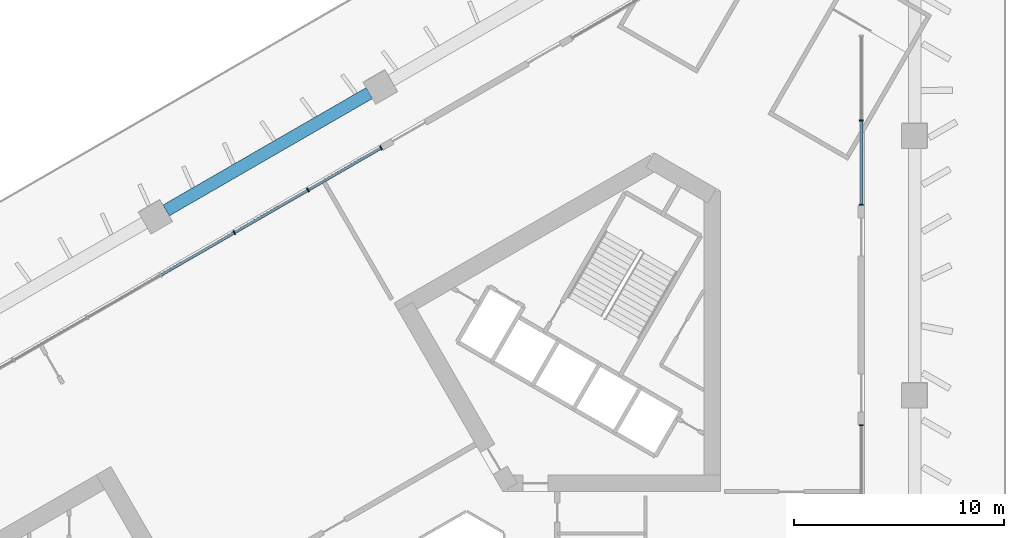
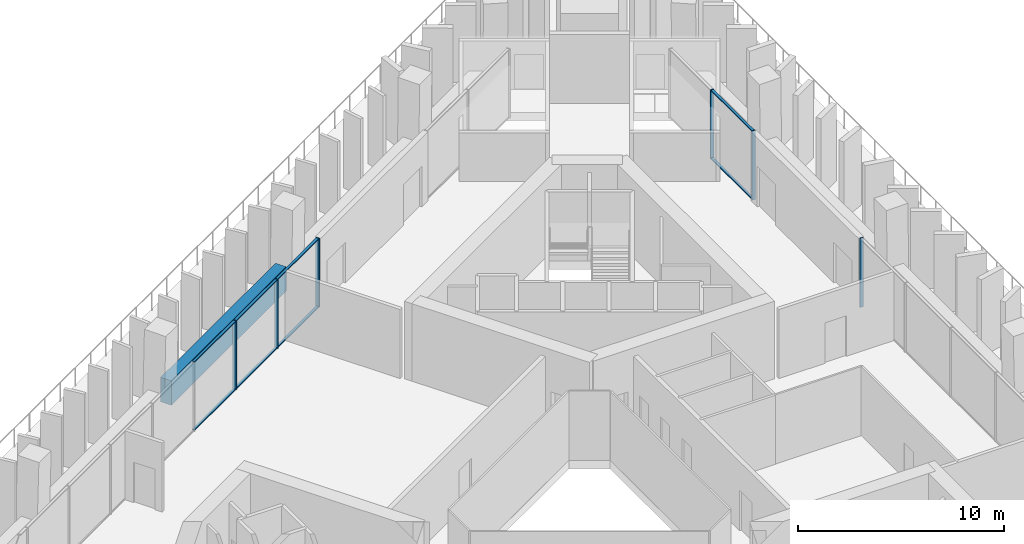
# One storey, part 7 of 31: 14 members, 1 beam, 3 elements without a shape of their own.
"""IFC4 building model written with IfcOpenShell, lengths in metres."""

from ifc_helpers import new_model, si_unit, direction, frame, origin, origin_2d, place, context, subcontext, project, spatial, rectangle, extrude, material, layer, layer_set, material_profile, profile_set, type_object, element, aggregate, save


model = new_model("IFC4")

# Units and contexts
model_context = context("Model", 3, precision=1e-05, world=origin(), true_north=direction((0.0, 1.0)))
body_context = subcontext(model_context, "Body", "Model", "MODEL_VIEW")
ifc_project = project(units=[si_unit("LENGTHUNIT", "METRE"), si_unit("AREAUNIT", "SQUARE_METRE"), si_unit("VOLUMEUNIT", "CUBIC_METRE"), si_unit("PLANEANGLEUNIT", "RADIAN"), si_unit("MASSUNIT", "GRAM", prefix="KILO")], contexts=[model_context])

# Site, building, storey
site_placement = place(None, origin())
site = spatial("IfcSite", under=ifc_project, at=site_placement, CompositionType="ELEMENT")
building_placement = place(site_placement, origin())
building = spatial("IfcBuilding", under=site, at=building_placement, Name="Jabali Bay Hotel Tower and Convention Centre", CompositionType="ELEMENT")
storey_placement = place(building_placement, frame((0.0, 0.0, 25.39990234375)))
storey = spatial("IfcBuildingStorey", under=building, at=storey_placement, Name="L04", CompositionType="ELEMENT", Elevation=25.39990234375)

# Curtain wall, member
ifc_material_1 = material(Name="Aluminium and glass", Category="aluminium")
ifc_layer = layer(ifc_material_1, 0.199951171875)
ifc_layer_set = layer_set([ifc_layer], Name="Aluminium and glass")
curtain_wall_type = type_object("IfcCurtainWallType", Name="CW6 curtain wall", PredefinedType="NOTDEFINED", material=ifc_layer_set)
curtain_wall_1_placement = place(storey_placement, origin())
curtain_wall_1 = element("IfcCurtainWall", 1, at=curtain_wall_1_placement, inside=storey, type_object=curtain_wall_type, Name="CW6 curtain wall east face L04", PredefinedType="NOTDEFINED")
ifc_material_2 = material(Name="Aluminium", Category="aluminium")
ifc_material_profile_1 = material_profile(ifc_material_2, rectangle(XDim=0.199951171875, YDim=0.06005859375, at=origin_2d()), Name="CW6 mullion 60 x 200")
ifc_profile_set_1 = profile_set([ifc_material_profile_1], Name="Aluminium")
member_type_1 = type_object("IfcMemberType", Name="CW6 mullion 60 x 200", PredefinedType="MULLION", material=ifc_profile_set_1)
member_1_placement = place(storey_placement, frame((96.5927734375, 90.962158203125, 0.0), z_axis=(0.0, 0.0, 1.0), x_axis=(1.0, 0.0, 0.0)))
member_1 = element("IfcMember", 2, at=member_1_placement, type_object=member_type_1, Name="CW6 mullion 1", PredefinedType="MULLION", context=body_context, shape_type="SweptSolid", body=[
    extrude(rectangle(XDim=0.199951171875, YDim=0.06005859375, at=origin_2d()), origin(), (0.0, 0.0, 1.0), 4.10009765625),
])
aggregate(curtain_wall_1, [member_1])

# Curtain wall, members
curtain_wall_2_placement = place(storey_placement, origin())
curtain_wall_2 = element("IfcCurtainWall", 3, at=curtain_wall_2_placement, inside=storey, type_object=curtain_wall_type, Name="CW6 curtain wall east face L04", PredefinedType="NOTDEFINED")
member_2_placement = place(storey_placement, frame((96.5927734375, 105.4912109375, 0.0), z_axis=(0.0, 0.0, 1.0), x_axis=(1.0, 0.0, 0.0)))
member_2 = element("IfcMember", 4, at=member_2_placement, type_object=member_type_1, Name="CW6 mullion 2", PredefinedType="MULLION", context=body_context, shape_type="SweptSolid", body=[
    extrude(rectangle(XDim=0.199951171875, YDim=0.06005859375, at=origin_2d()), origin(), (0.0, 0.0, 1.0), 4.10009765625),
])
member_3_placement = place(storey_placement, frame((96.5927734375, 101.466796875, 0.0), z_axis=(0.0, 0.0, 1.0), x_axis=(1.0, 0.0, 0.0)))
member_3 = element("IfcMember", 5, at=member_3_placement, type_object=member_type_1, Name="CW6 mullion 3", PredefinedType="MULLION", context=body_context, shape_type="SweptSolid", body=[
    extrude(rectangle(XDim=0.199951171875, YDim=0.06005859375, at=origin_2d()), origin(), (0.0, 0.0, 1.0), 4.10009765625),
])

curtain_wall_3_placement = place(storey_placement, origin())
curtain_wall_3 = element("IfcCurtainWall", 6, at=curtain_wall_3_placement, inside=storey, type_object=curtain_wall_type, Name="CW6 curtain wall north-west face L04", PredefinedType="NOTDEFINED")
member_4_placement = place(storey_placement, frame((66.70166015625, 100.142333984375, 0.0), z_axis=(0.0, 0.0, 1.0), x_axis=(-0.499999997944, 0.866025404971, 0.0)))
member_4 = element("IfcMember", 7, at=member_4_placement, type_object=member_type_1, Name="CW6 mullion 9", PredefinedType="MULLION", context=body_context, shape_type="SweptSolid", body=[
    extrude(rectangle(XDim=0.199951171875, YDim=0.06005859375, at=origin_2d()), origin(), (0.0, 0.0, 1.0), 4.10009765625),
])
member_5_placement = place(storey_placement, frame((70.21240234375, 102.169189453125, 0.0), z_axis=(0.0, 0.0, 1.0), x_axis=(-0.499999997944, 0.866025404971, 0.0)))
member_5 = element("IfcMember", 8, at=member_5_placement, type_object=member_type_1, Name="CW6 mullion 10", PredefinedType="MULLION", context=body_context, shape_type="SweptSolid", body=[
    extrude(rectangle(XDim=0.199951171875, YDim=0.06005859375, at=origin_2d()), origin(), (0.0, 0.0, 1.0), 4.10009765625),
])
member_6_placement = place(storey_placement, frame((73.697021484375, 104.18115234375, 0.0), z_axis=(0.0, 0.0, 1.0), x_axis=(-0.499999997944, 0.866025404971, 0.0)))
member_6 = element("IfcMember", 9, at=member_6_placement, type_object=member_type_1, Name="CW6 mullion 11", PredefinedType="MULLION", context=body_context, shape_type="SweptSolid", body=[
    extrude(rectangle(XDim=0.199951171875, YDim=0.06005859375, at=origin_2d()), origin(), (0.0, 0.0, 1.0), 4.10009765625),
])

# Member
ifc_material_profile_2 = material_profile(ifc_material_2, rectangle(XDim=0.139892578125, YDim=0.06005859375, at=origin_2d()), Name="CW6 transom 60 x 140")
ifc_profile_set_2 = profile_set([ifc_material_profile_2], Name="Aluminium")
member_type_2 = type_object("IfcMemberType", Name="CW6 transom 60 x 140", PredefinedType="USERDEFINED", material=ifc_profile_set_2)
member_7_placement = place(storey_placement, frame((96.5927734375, 105.461181640625, 0.030029296875), z_axis=(0.0, -1.0, 0.0), x_axis=(1.0, 0.0, 0.0)))
member_7 = element("IfcMember", 10, at=member_7_placement, type_object=member_type_2, Name="CW6 transom 2.1", ObjectType="TRANSOM", PredefinedType="USERDEFINED", context=body_context, shape_type="SweptSolid", body=[
    extrude(rectangle(XDim=0.139892578125, YDim=0.06005859375, at=origin_2d()), origin(), (0.0, 0.0, 1.0), 3.96435546875),
])

member_8_placement = place(storey_placement, frame((96.5927734375, 105.461181640625, 4.070068359375), z_axis=(0.0, -1.0, 0.0), x_axis=(1.0, 0.0, 0.0)))
member_8 = element("IfcMember", 11, at=member_8_placement, type_object=member_type_2, Name="CW6 transom 2.2", ObjectType="TRANSOM", PredefinedType="USERDEFINED", context=body_context, shape_type="SweptSolid", body=[
    extrude(rectangle(XDim=0.139892578125, YDim=0.06005859375, at=origin_2d()), origin(), (0.0, 0.0, 1.0), 3.96435546875),
])

aggregate(curtain_wall_2, [member_2, member_3, member_7, member_8])

member_9_placement = place(storey_placement, frame((63.217041015625, 98.13037109375, 0.030029296875), z_axis=(0.866033907579, 0.499985270706, 0.0), x_axis=(-0.499985270706, 0.866033907579, 0.0)))
member_9 = element("IfcMember", 12, at=member_9_placement, type_object=member_type_2, Name="CW6 transom 8.1", ObjectType="TRANSOM", PredefinedType="USERDEFINED", context=body_context, shape_type="SweptSolid", body=[
    extrude(rectangle(XDim=0.139892578125, YDim=0.06005859375, at=origin_2d()), origin(), (0.0, 0.0, 1.0), 3.99365234375),
])

member_10_placement = place(storey_placement, frame((63.217041015625, 98.13037109375, 4.070068359375), z_axis=(0.866033907579, 0.499985270706, 0.0), x_axis=(-0.499985270706, 0.866033907579, 0.0)))
member_10 = element("IfcMember", 13, at=member_10_placement, type_object=member_type_2, Name="CW6 transom 8.2", ObjectType="TRANSOM", PredefinedType="USERDEFINED", context=body_context, shape_type="SweptSolid", body=[
    extrude(rectangle(XDim=0.139892578125, YDim=0.06005859375, at=origin_2d()), origin(), (0.0, 0.0, 1.0), 3.99365234375),
])

member_11_placement = place(storey_placement, frame((66.7275390625, 100.1572265625, 0.030029296875), z_axis=(0.866033907579, 0.499985270706, 0.0), x_axis=(-0.499985270706, 0.866033907579, 0.0)))
member_11 = element("IfcMember", 14, at=member_11_placement, type_object=member_type_2, Name="CW6 transom 9.1", ObjectType="TRANSOM", PredefinedType="USERDEFINED", context=body_context, shape_type="SweptSolid", body=[
    extrude(rectangle(XDim=0.139892578125, YDim=0.06005859375, at=origin_2d()), origin(), (0.0, 0.0, 1.0), 3.99365234375),
])

member_12_placement = place(storey_placement, frame((66.7275390625, 100.1572265625, 4.070068359375), z_axis=(0.866033907579, 0.499985270706, 0.0), x_axis=(-0.499985270706, 0.866033907579, 0.0)))
member_12 = element("IfcMember", 15, at=member_12_placement, type_object=member_type_2, Name="CW6 transom 9.2", ObjectType="TRANSOM", PredefinedType="USERDEFINED", context=body_context, shape_type="SweptSolid", body=[
    extrude(rectangle(XDim=0.139892578125, YDim=0.06005859375, at=origin_2d()), origin(), (0.0, 0.0, 1.0), 3.99365234375),
])

member_13_placement = place(storey_placement, frame((70.23828125, 102.18408203125, 0.030029296875), z_axis=(0.866028661061, 0.499994358189, 0.0), x_axis=(-0.499994358189, 0.866028661061, 0.0)))
member_13 = element("IfcMember", 16, at=member_13_placement, type_object=member_type_2, Name="CW6 transom 10.1", ObjectType="TRANSOM", PredefinedType="USERDEFINED", context=body_context, shape_type="SweptSolid", body=[
    extrude(rectangle(XDim=0.139892578125, YDim=0.06005859375, at=origin_2d()), origin(), (0.0, 0.0, 1.0), 3.9638671875),
])

member_14_placement = place(storey_placement, frame((70.23828125, 102.18408203125, 4.070068359375), z_axis=(0.866028661061, 0.499994358189, 0.0), x_axis=(-0.499994358189, 0.866028661061, 0.0)))
member_14 = element("IfcMember", 17, at=member_14_placement, type_object=member_type_2, Name="CW6 transom 10.2", ObjectType="TRANSOM", PredefinedType="USERDEFINED", context=body_context, shape_type="SweptSolid", body=[
    extrude(rectangle(XDim=0.139892578125, YDim=0.06005859375, at=origin_2d()), origin(), (0.0, 0.0, 1.0), 3.9638671875),
])

aggregate(curtain_wall_3, [member_4, member_5, member_6, member_9, member_10, member_11, member_12, member_13, member_14])

# Beam
ifc_material_3 = material(Name="Concrete C60", Category="concrete")
ifc_material_profile_3 = material_profile(ifc_material_3, rectangle(XDim=0.60009765625, YDim=1.449951171875, at=origin_2d()), Name="Spandrel 600x1450")
ifc_profile_set_3 = profile_set([ifc_material_profile_3], Name="Concrete C60")
beam_type = type_object("IfcBeamType", Name="Spandrel 600x1450", PredefinedType="SPANDREL", material=ifc_profile_set_3)
beam_placement = place(storey_placement, frame((73.138671875, 106.79443359375, 0.375), z_axis=(-0.866020929808, -0.500007749075, 0.0), x_axis=(0.500007749075, -0.866020929808, 0.0)))
element("IfcBeam", 18, at=beam_placement, inside=storey, type_object=beam_type, Name="Spandrel F1.2-F1.3 L04", PredefinedType="SPANDREL", context=body_context, shape_type="SweptSolid", body=[
    extrude(rectangle(XDim=0.60009765625, YDim=1.449951171875, at=origin_2d()), origin(), (0.0, 0.0, 1.0), 11.185302734375),
])

save(model, "model.ifc")
